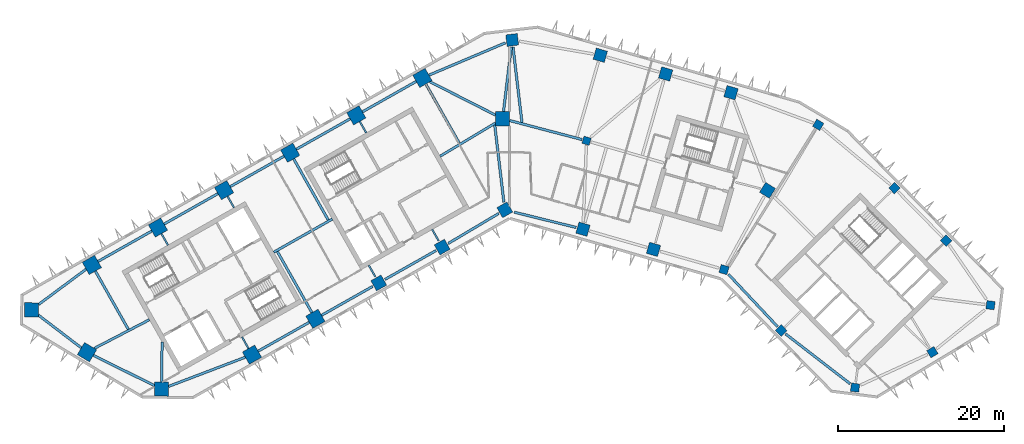
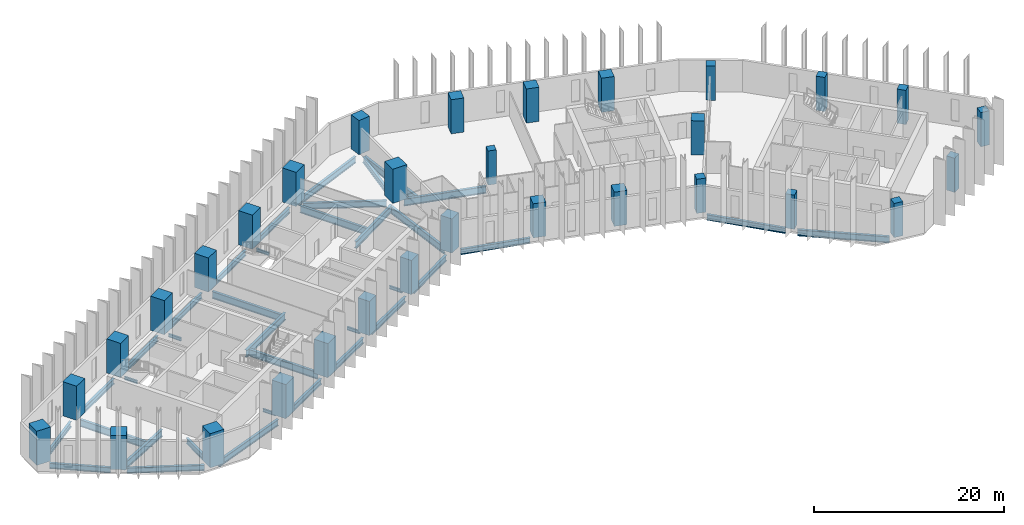
# One storey, part 1 of 11: 36 beams, 31 columns.
"""IFC4 building model written with IfcOpenShell, lengths in metres."""

from ifc_helpers import new_model, si_unit, direction, frame, origin, origin_2d, place, context, subcontext, project, spatial, rectangle, i_section, extrude, material, material_profile, profile_set, type_object, element, save


model = new_model("IFC4")

# Units and contexts
model_context = context("Model", 3, precision=1e-05, world=origin(), true_north=direction((0.0, 1.0)))
body_context = subcontext(model_context, "Body", "Model", "MODEL_VIEW")
ifc_project = project(units=[si_unit("LENGTHUNIT", "METRE"), si_unit("AREAUNIT", "SQUARE_METRE"), si_unit("VOLUMEUNIT", "CUBIC_METRE"), si_unit("PLANEANGLEUNIT", "RADIAN"), si_unit("MASSUNIT", "GRAM", prefix="KILO")], contexts=[model_context])

# Site, building, storey
site_placement = place(None, origin())
site = spatial("IfcSite", under=ifc_project, at=site_placement, CompositionType="ELEMENT")
building_placement = place(site_placement, origin())
building = spatial("IfcBuilding", under=site, at=building_placement, Name="Binnacle Exchange Tower", CompositionType="ELEMENT")
storey_placement = place(building_placement, frame((0.0, 0.0, 97.10009765625)))
storey = spatial("IfcBuildingStorey", under=building, at=storey_placement, Name="L19", CompositionType="ELEMENT", Elevation=97.10009765625)

# Columns
ifc_material_1 = material(Name="Concrete C60/75", Category="concrete")
ifc_material_profile_1 = material_profile(ifc_material_1, rectangle(XDim=0.89990234375, YDim=0.89990234375, at=origin_2d()), Name="Column 900x900 C60/75")
ifc_profile_set_1 = profile_set([ifc_material_profile_1], Name="Concrete C60/75")
column_type_1 = type_object("IfcColumnType", Name="Column 900x900 C60/75", PredefinedType="COLUMN", material=ifc_profile_set_1)
column_placement = place(storey_placement, frame((9.240966796875, 57.35009765625, 0.0), z_axis=(0.0, 0.0, 1.0), x_axis=(0.961261695938, -0.275637355817, 0.0)))
element("IfcColumn", 1, at=column_placement, inside=storey, type_object=column_type_1, Name="S:COL:C19:L19", PredefinedType="COLUMN", context=body_context, shape_type="SweptSolid", body=[
    extrude(rectangle(XDim=0.89990234375, YDim=0.89990234375, at=origin_2d()), origin(), (0.0, 0.0, 1.0), 4.39990234375),
])
ifc_material_2 = material(Name="Concrete C70/85", Category="concrete")
ifc_material_profile_2 = material_profile(ifc_material_2, rectangle(XDim=1.0, YDim=1.0, at=origin_2d()), Name="Mega column 1000x1000 C70/85")
ifc_profile_set_2 = profile_set([ifc_material_profile_2], Name="Concrete C70/85")
column_type_2 = type_object("IfcColumnType", Name="Mega column 1000x1000 C70/85", PredefinedType="COLUMN", material=ifc_profile_set_2)
for number, where, z_axis, x_axis, name in (
    (2, (37.0849609375, 59.262451171875, 0.0), (0.0, 0.0, 1.0), (-0.859406411501, 0.511293086077, 0.0), "S:COL:MC57:L19"),
    (3, (25.766845703125, 41.85986328125, 0.0), (0.0, 0.0, 1.0), (0.961261695938, -0.275637355817, 0.0), "S:COL:MC56:L19"),
    (4, (32.64111328125, 34.530029296875, 0.0), (0.0, 0.0, 1.0), (0.7009092643, -0.713250449154, 0.0), "S:COL:MC59:L19"),
    (5, (41.519775390625, 27.6748046875, 0.0), (0.0, 0.0, 1.0), (0.99200494968, -0.126198969136, 0.0), "S:COL:MC61:L19"),
    (6, (50.81201171875, 31.930908203125, 0.0), (0.0, 0.0, 1.0), (0.857167300702, 0.51503807491, 0.0), "S:COL:MC63:L19"),
    (7, (57.799072265625, 37.5810546875, 0.0), (0.0, 0.0, 1.0), (0.126198969136, 0.99200494968, 0.0), "S:COL:MC62:L19"),
    (8, (52.466796875, 45.33935546875, 0.0), (0.0, 0.0, 1.0), (-0.7009092643, 0.713250449154, 0.0), "S:COL:MC60:L19"),
    (9, (46.248291015625, 51.667236328125, 0.0), (0.0, 0.0, 1.0), (-0.7009092643, 0.713250449154, 0.0), "S:COL:MC58:L19"),
):
    element("IfcColumn", number, at=place(storey_placement, frame(where, z_axis=z_axis, x_axis=x_axis)), inside=storey, type_object=column_type_2, Name=name, PredefinedType="COLUMN", context=body_context, shape_type="SweptSolid", body=[
        extrude(rectangle(XDim=1.0, YDim=1.0, at=origin_2d()), origin(), (0.0, 0.0, 1.0), 4.39990234375),
    ])
ifc_material_profile_3 = material_profile(ifc_material_2, rectangle(XDim=1.39990234375, YDim=1.39990234375, at=origin_2d()), Name="Mega column 1400x1400 C70/85")
ifc_profile_set_3 = profile_set([ifc_material_profile_3], Name="Concrete C70/85")
column_type_3 = type_object("IfcColumnType", Name="Mega column 1400x1400 C70/85", PredefinedType="COLUMN", material=ifc_profile_set_3)
for number, where, z_axis, x_axis, name in (
    (10, (26.602783203125, 63.12353515625, 0.0), (0.0, 0.0, 1.0), (-0.961261695938, 0.275637355817, 0.0), "S:COL:MC52:L19"),
    (11, (18.746337890625, 65.376220703125, 0.0), (0.0, 0.0, 1.0), (-0.961261695938, 0.275637355817, 0.0), "S:COL:MC50:L19"),
    (12, (10.889892578125, 67.62890625, 0.0), (0.0, 0.0, 1.0), (-0.961261695938, 0.275637355817, 0.0), "S:COL:MC48:L19"),
    (13, (0.300048828125, 69.464111328125, 0.0), (0.0, 0.0, 1.0), (-0.993068456955, -0.117537397458, 0.0), "S:COL:MC47:L19"),
    (14, (-15.736328125, 40.257080078125, 0.0), (0.0, 0.0, 1.0), (0.87035569594, 0.492423560103, 0.0), "S:COL:MC24:L19"),
    (15, (-8.116943359375, 44.568115234375, 0.0), (0.0, 0.0, 1.0), (0.87035569594, 0.492423560103, 0.0), "S:COL:MC35:L19"),
    (16, (-0.5908203125, 49.04443359375, 0.0), (0.0, 0.0, 1.0), (0.87035569594, 0.492423560103, 0.0), "S:COL:MC46:L19"),
    (17, (8.8095703125, 46.722412109375, 0.0), (0.0, 0.0, 1.0), (0.961261695938, -0.275637355817, 0.0), "S:COL:MC49:L19"),
    (18, (17.2880859375, 44.291015625, 0.0), (0.0, 0.0, 1.0), (0.961261695938, -0.275637355817, 0.0), "S:COL:MC51:L19"),
    (19, (30.989501953125, 51.38623046875, 0.0), (0.0, 0.0, 1.0), (0.529919264233, 0.848048096156, 0.0), "S:COL:MC55:L19"),
):
    element("IfcColumn", number, at=place(storey_placement, frame(where, z_axis=z_axis, x_axis=x_axis)), inside=storey, type_object=column_type_3, Name=name, PredefinedType="COLUMN", context=body_context, shape_type="SweptSolid", body=[
        extrude(rectangle(XDim=1.39990234375, YDim=1.39990234375, at=origin_2d()), origin(), (0.0, 0.0, 1.0), 4.39990234375),
    ])
ifc_material_profile_4 = material_profile(ifc_material_2, rectangle(XDim=1.699951171875, YDim=1.699951171875, at=origin_2d()), Name="Mega column 1700x1700 C70/85")
ifc_profile_set_4 = profile_set([ifc_material_profile_4], Name="Concrete C70/85")
column_type_4 = type_object("IfcColumnType", Name="Mega column 1700x1700 C70/85", PredefinedType="COLUMN", material=ifc_profile_set_4)
for number, where, z_axis, x_axis, name in (
    (20, (-10.4951171875, 64.901611328125, 0.0), (0.0, 0.0, 1.0), (-0.87035569594, -0.492423560103, 0.0), "S:COL:MC38:L19"),
    (21, (-18.44140625, 60.406005859375, 0.0), (0.0, 0.0, 1.0), (-0.87035569594, -0.492423560103, 0.0), "S:COL:MC29:L19"),
    (22, (-26.3876953125, 55.91015625, 0.0), (0.0, 0.0, 1.0), (-0.87035569594, -0.492423560103, 0.0), "S:COL:MC21:L19"),
    (23, (-34.333740234375, 51.414306640625, 0.0), (0.0, 0.0, 1.0), (-0.87035569594, -0.492423560103, 0.0), "S:COL:MC13:L19"),
    (24, (-42.280029296875, 46.918701171875, 0.0), (0.0, 0.0, 1.0), (-0.87035569594, -0.492423560103, 0.0), "S:COL:MC08:L19"),
    (25, (-50.226318359375, 42.4228515625, 0.0), (0.0, 0.0, 1.0), (-0.87035569594, -0.492423560103, 0.0), "S:COL:MC04:L19"),
    (26, (-57.492919921875, 37.02734375, 0.0), (0.0, 0.0, 1.0), (-0.013089595571, -0.999914327574, 0.0), "S:COL:MC02:L19"),
    (27, (-50.81201171875, 31.930908203125, 0.0), (0.0, 0.0, 1.0), (0.857167300702, -0.51503807491, 0.0), "S:COL:MC01:L19"),
    (28, (-41.857666015625, 27.494873046875, 0.0), (0.0, 0.0, 1.0), (0.999914327574, -0.013089595571, 0.0), "S:COL:MC03:L19"),
    (29, (-30.9755859375, 31.63525390625, 0.0), (0.0, 0.0, 1.0), (0.87035569594, 0.492423560103, 0.0), "S:COL:MC07:L19"),
    (30, (-23.35595703125, 35.9462890625, 0.0), (0.0, 0.0, 1.0), (0.87035569594, 0.492423560103, 0.0), "S:COL:MC16:L19"),
    (31, (-0.85009765625, 60.0, 0.0), (0.0, 0.0, 1.0), (0.0, 1.0, 0.0), "S:COL:MC45:L19"),
):
    element("IfcColumn", number, at=place(storey_placement, frame(where, z_axis=z_axis, x_axis=x_axis)), inside=storey, type_object=column_type_4, Name=name, PredefinedType="COLUMN", context=body_context, shape_type="SweptSolid", body=[
        extrude(rectangle(XDim=1.699951171875, YDim=1.699951171875, at=origin_2d()), origin(), (0.0, 0.0, 1.0), 4.39990234375),
    ])

# Beams
ifc_material_3 = material(Name="Steel S355 (SHN355)", Category="steel")
ifc_material_profile_5 = material_profile(ifc_material_3, i_section(OverallWidth=0.300048828125, OverallDepth=0.699951171875, WebThickness=0.012939453125, FlangeThickness=0.02392578125, FilletRadius=0.028076171875, at=origin_2d()), Name="H 700x300x13x24")
ifc_profile_set_5 = profile_set([ifc_material_profile_5], Name="Steel S355 (SHN355)")
beam_type_1 = type_object("IfcBeamType", Name="Edge girder H 700x300x13x24 Steel S355 (SHN355)", PredefinedType="SPANDREL", material=ifc_profile_set_5)
beam_1_placement = place(storey_placement, frame((-56.6513671875, 36.38525390625, -0.670166015625), z_axis=(0.795093040263, -0.606487474994, 0.0), x_axis=(0.606487474994, 0.795093040263, 0.0)))
element("IfcBeam", 32, at=beam_1_placement, inside=storey, type_object=beam_type_1, Name="S:BM:edge:L19:015", PredefinedType="SPANDREL", context=body_context, shape_type="SweptSolid", body=[
    extrude(i_section(OverallWidth=0.300048828125, OverallDepth=0.699951171875, WebThickness=0.012939453125, FlangeThickness=0.02392578125, FilletRadius=0.028076171875, at=origin_2d()), origin(), (0.0, 0.0, 1.0), 6.489013671875),
])
beam_2_placement = place(storey_placement, frame((-50.913818359375, 41.912353515625, -0.670166015625), z_axis=(-0.80288535334, -0.59613346609, 0.0), x_axis=(0.59613346609, -0.80288535334, 0.0)))
element("IfcBeam", 33, at=beam_2_placement, inside=storey, type_object=beam_type_1, Name="S:BM:edge:L19:016", PredefinedType="SPANDREL", context=body_context, shape_type="SweptSolid", body=[
    extrude(i_section(OverallWidth=0.300048828125, OverallDepth=0.699951171875, WebThickness=0.012939453125, FlangeThickness=0.02392578125, FilletRadius=0.028076171875, at=origin_2d()), origin(), (0.0, 0.0, 1.0), 7.125244140625),
])
beam_3_placement = place(storey_placement, frame((-43.019775390625, 46.5, -0.670166015625), z_axis=(-0.870364477798, -0.492408037898, 0.0), x_axis=(0.492408037898, -0.870364477798, 0.0)))
element("IfcBeam", 34, at=beam_3_placement, inside=storey, type_object=beam_type_1, Name="S:BM:edge:L19:018", PredefinedType="SPANDREL", context=body_context, shape_type="SweptSolid", body=[
    extrude(i_section(OverallWidth=0.300048828125, OverallDepth=0.699951171875, WebThickness=0.012939453125, FlangeThickness=0.02392578125, FilletRadius=0.028076171875, at=origin_2d()), origin(), (0.0, 0.0, 1.0), 7.4296875),
])
beam_4_placement = place(storey_placement, frame((-35.073486328125, 50.995849609375, -0.670166015625), z_axis=(-0.870372444894, -0.492393955253, 0.0), x_axis=(0.492393955253, -0.870372444894, 0.0)))
element("IfcBeam", 35, at=beam_4_placement, inside=storey, type_object=beam_type_1, Name="S:BM:edge:L19:020", PredefinedType="SPANDREL", context=body_context, shape_type="SweptSolid", body=[
    extrude(i_section(OverallWidth=0.300048828125, OverallDepth=0.699951171875, WebThickness=0.012939453125, FlangeThickness=0.02392578125, FilletRadius=0.028076171875, at=origin_2d()), origin(), (0.0, 0.0, 1.0), 7.429931640625),
])
beam_5_placement = place(storey_placement, frame((-30.23583984375, 32.053955078125, -0.670166015625), z_axis=(0.870373276953, 0.492392484473, 0.0), x_axis=(-0.492392484473, 0.870373276953, 0.0)))
element("IfcBeam", 36, at=beam_5_placement, inside=storey, type_object=beam_type_1, Name="S:BM:edge:L19:021", PredefinedType="SPANDREL", context=body_context, shape_type="SweptSolid", body=[
    extrude(i_section(OverallWidth=0.300048828125, OverallDepth=0.699951171875, WebThickness=0.012939453125, FlangeThickness=0.02392578125, FilletRadius=0.028076171875, at=origin_2d()), origin(), (0.0, 0.0, 1.0), 7.0546875),
])
beam_6_placement = place(storey_placement, frame((-27.12744140625, 55.49169921875, -0.670166015625), z_axis=(-0.870350394687, -0.492432929919, 0.0), x_axis=(0.492432929919, -0.870350394687, 0.0)))
element("IfcBeam", 37, at=beam_6_placement, inside=storey, type_object=beam_type_1, Name="S:BM:edge:L19:022", PredefinedType="SPANDREL", context=body_context, shape_type="SweptSolid", body=[
    extrude(i_section(OverallWidth=0.300048828125, OverallDepth=0.699951171875, WebThickness=0.012939453125, FlangeThickness=0.02392578125, FilletRadius=0.028076171875, at=origin_2d()), origin(), (0.0, 0.0, 1.0), 7.429931640625),
])
beam_7_placement = place(storey_placement, frame((-22.6162109375, 36.36474609375, -0.670166015625), z_axis=(0.870350053651, 0.492433532681, 0.0), x_axis=(-0.492433532681, 0.870350053651, 0.0)))
element("IfcBeam", 38, at=beam_7_placement, inside=storey, type_object=beam_type_1, Name="S:BM:edge:L19:023", PredefinedType="SPANDREL", context=body_context, shape_type="SweptSolid", body=[
    extrude(i_section(OverallWidth=0.300048828125, OverallDepth=0.699951171875, WebThickness=0.012939453125, FlangeThickness=0.02392578125, FilletRadius=0.028076171875, at=origin_2d()), origin(), (0.0, 0.0, 1.0), 7.054443359375),
])
beam_8_placement = place(storey_placement, frame((-19.18115234375, 59.9873046875, -0.670166015625), z_axis=(-0.870364477798, -0.492408037898, 0.0), x_axis=(0.492408037898, -0.870364477798, 0.0)))
element("IfcBeam", 39, at=beam_8_placement, inside=storey, type_object=beam_type_1, Name="S:BM:edge:L19:024", PredefinedType="SPANDREL", context=body_context, shape_type="SweptSolid", body=[
    extrude(i_section(OverallWidth=0.300048828125, OverallDepth=0.699951171875, WebThickness=0.012939453125, FlangeThickness=0.02392578125, FilletRadius=0.028076171875, at=origin_2d()), origin(), (0.0, 0.0, 1.0), 7.4296875),
])
beam_9_placement = place(storey_placement, frame((-14.99658203125, 40.67578125, -0.670166015625), z_axis=(0.870364886025, 0.492407316329, 0.0), x_axis=(-0.492407316329, 0.870364886025, 0.0)))
element("IfcBeam", 40, at=beam_9_placement, inside=storey, type_object=beam_type_1, Name="S:BM:edge:L19:025", PredefinedType="SPANDREL", context=body_context, shape_type="SweptSolid", body=[
    extrude(i_section(OverallWidth=0.300048828125, OverallDepth=0.699951171875, WebThickness=0.012939453125, FlangeThickness=0.02392578125, FilletRadius=0.028076171875, at=origin_2d()), origin(), (0.0, 0.0, 1.0), 7.054443359375),
])
beam_10_placement = place(storey_placement, frame((-11.23486328125, 64.483154296875, -0.670166015625), z_axis=(-0.870364477798, -0.492408037898, 0.0), x_axis=(0.492408037898, -0.870364477798, 0.0)))
element("IfcBeam", 41, at=beam_10_placement, inside=storey, type_object=beam_type_1, Name="S:BM:edge:L19:026", PredefinedType="SPANDREL", context=body_context, shape_type="SweptSolid", body=[
    extrude(i_section(OverallWidth=0.300048828125, OverallDepth=0.699951171875, WebThickness=0.012939453125, FlangeThickness=0.02392578125, FilletRadius=0.028076171875, at=origin_2d()), origin(), (0.0, 0.0, 1.0), 7.4296875),
])
beam_11_placement = place(storey_placement, frame((-7.38623046875, 45.002685546875, -0.670166015625), z_axis=(0.859464815262, 0.511194905419, 0.0), x_axis=(-0.511194905419, 0.859464815262, 0.0)))
element("IfcBeam", 42, at=beam_11_placement, inside=storey, type_object=beam_type_1, Name="S:BM:edge:L19:027", PredefinedType="SPANDREL", context=body_context, shape_type="SweptSolid", body=[
    extrude(i_section(OverallWidth=0.300048828125, OverallDepth=0.699951171875, WebThickness=0.012939453125, FlangeThickness=0.02392578125, FilletRadius=0.028076171875, at=origin_2d()), origin(), (0.0, 0.0, 1.0), 7.056396484375),
])
beam_12_placement = place(storey_placement, frame((0.54443359375, 48.763916015625, -0.670166015625), z_axis=(0.970818997342, -0.239813415805, 0.0), x_axis=(0.239813415805, 0.970818997342, 0.0)))
element("IfcBeam", 43, at=beam_12_placement, inside=storey, type_object=beam_type_1, Name="S:BM:edge:L19:029", PredefinedType="SPANDREL", context=body_context, shape_type="SweptSolid", body=[
    extrude(i_section(OverallWidth=0.300048828125, OverallDepth=0.699951171875, WebThickness=0.012939453125, FlangeThickness=0.02392578125, FilletRadius=0.028076171875, at=origin_2d()), origin(), (0.0, 0.0, 1.0), 7.662841796875),
])
ifc_material_profile_6 = material_profile(ifc_material_3, i_section(OverallWidth=0.302001953125, OverallDepth=0.7080078125, WebThickness=0.014892578125, FlangeThickness=0.028076171875, FilletRadius=0.028076171875, at=origin_2d()), Name="H 708x302x15x28")
ifc_profile_set_6 = profile_set([ifc_material_profile_6], Name="Steel S355 (SHN355)")
beam_type_2 = type_object("IfcBeamType", Name="Edge girder H 708x302x15x28 Steel S355 (SHN355)", PredefinedType="SPANDREL", material=ifc_profile_set_6)
beam_13_placement = place(storey_placement, frame((-50.0478515625, 31.55224609375, -0.674072265625), z_axis=(0.896059216286, -0.443934545749, 0.0), x_axis=(0.443934545749, 0.896059216286, 0.0)))
element("IfcBeam", 44, at=beam_13_placement, inside=storey, type_object=beam_type_2, Name="S:BM:edge:L19:017", PredefinedType="SPANDREL", context=body_context, shape_type="SweptSolid", body=[
    extrude(i_section(OverallWidth=0.302001953125, OverallDepth=0.7080078125, WebThickness=0.014892578125, FlangeThickness=0.028076171875, FilletRadius=0.028076171875, at=origin_2d()), origin(), (0.0, 0.0, 1.0), 8.197509765625),
])
beam_14_placement = place(storey_placement, frame((26.284912109375, 41.3076171875, -0.674072265625), z_axis=(0.684056711164, -0.729428828544, 0.0), x_axis=(0.729428828544, 0.684056711164, 0.0)))
element("IfcBeam", 45, at=beam_14_placement, inside=storey, type_object=beam_type_2, Name="S:BM:edge:L19:035", PredefinedType="SPANDREL", context=body_context, shape_type="SweptSolid", body=[
    extrude(i_section(OverallWidth=0.302001953125, OverallDepth=0.7080078125, WebThickness=0.014892578125, FlangeThickness=0.028076171875, FilletRadius=0.028076171875, at=origin_2d()), origin(), (0.0, 0.0, 1.0), 8.6416015625),
])
ifc_material_profile_7 = material_profile(ifc_material_3, i_section(OverallWidth=0.302001953125, OverallDepth=0.80810546875, WebThickness=0.01611328125, FlangeThickness=0.030029296875, FilletRadius=0.028076171875, at=origin_2d()), Name="H 808x302x16x30")
ifc_profile_set_7 = profile_set([ifc_material_profile_7], Name="Steel S355 (SHN355)")
beam_type_3 = type_object("IfcBeamType", Name="Edge girder H 808x302x16x30 Steel S355 (SHN355)", PredefinedType="SPANDREL", material=ifc_profile_set_7)
beam_15_placement = place(storey_placement, frame((-41.00341796875, 27.81982421875, -0.72412109375), z_axis=(0.934628738252, 0.355624973297, 0.0), x_axis=(-0.355624973297, 0.934628738252, 0.0)))
element("IfcBeam", 46, at=beam_15_placement, inside=storey, type_object=beam_type_3, Name="S:BM:edge:L19:019", PredefinedType="SPANDREL", context=body_context, shape_type="SweptSolid", body=[
    extrude(i_section(OverallWidth=0.302001953125, OverallDepth=0.80810546875, WebThickness=0.01611328125, FlangeThickness=0.030029296875, FilletRadius=0.028076171875, at=origin_2d()), origin(), (0.0, 0.0, 1.0), 9.869384765625),
])
beam_16_placement = place(storey_placement, frame((-0.51513671875, 69.11962890625, -0.72412109375), z_axis=(-0.921111373297, -0.389299162578, 0.0), x_axis=(0.389299162578, -0.921111373297, 0.0)))
element("IfcBeam", 47, at=beam_16_placement, inside=storey, type_object=beam_type_3, Name="S:BM:edge:L19:028", PredefinedType="SPANDREL", context=body_context, shape_type="SweptSolid", body=[
    extrude(i_section(OverallWidth=0.302001953125, OverallDepth=0.80810546875, WebThickness=0.01611328125, FlangeThickness=0.030029296875, FilletRadius=0.028076171875, at=origin_2d()), origin(), (0.0, 0.0, 1.0), 9.978759765625),
])
beam_17_placement = place(storey_placement, frame((33.160400390625, 34.12890625, -0.72412109375), z_axis=(0.791533490776, -0.611125791454, 0.0), x_axis=(0.611125791454, 0.791533490776, 0.0)))
element("IfcBeam", 48, at=beam_17_placement, inside=storey, type_object=beam_type_3, Name="S:BM:edge:L19:036", PredefinedType="SPANDREL", context=body_context, shape_type="SweptSolid", body=[
    extrude(i_section(OverallWidth=0.302001953125, OverallDepth=0.80810546875, WebThickness=0.01611328125, FlangeThickness=0.030029296875, FilletRadius=0.028076171875, at=origin_2d()), origin(), (0.0, 0.0, 1.0), 9.80712890625),
])
ifc_material_profile_8 = material_profile(ifc_material_3, i_section(OverallWidth=0.199951171875, OverallDepth=0.39990234375, WebThickness=0.008056640625, FlangeThickness=0.012939453125, FilletRadius=0.01611328125, at=origin_2d()), Name="H 400x200x8x13")
ifc_profile_set_8 = profile_set([ifc_material_profile_8], Name="Steel S355 (SHN355)")
beam_type_4 = type_object("IfcBeamType", Name="Floor beam H 400x200x8x13 Steel S355 (SHN355)", PredefinedType="BEAM", material=ifc_profile_set_8)
beam_18_placement = place(storey_placement, frame((-41.861328125, 46.178955078125, -0.52001953125), z_axis=(0.492366981934, -0.870387703901, 0.0), x_axis=(0.870387703901, 0.492366981934, 0.0)))
element("IfcBeam", 49, at=beam_18_placement, inside=storey, type_object=beam_type_4, Name="S:BM:cross:L19:044", PredefinedType="BEAM", context=body_context, shape_type="SweptSolid", body=[
    extrude(i_section(OverallWidth=0.199951171875, OverallDepth=0.39990234375, WebThickness=0.008056640625, FlangeThickness=0.012939453125, FilletRadius=0.01611328125, at=origin_2d()), origin(), (0.0, 0.0, 1.0), 1.584228515625),
])
beam_19_placement = place(storey_placement, frame((-33.915283203125, 50.674560546875, -0.52001953125), z_axis=(0.492483715062, -0.870321659158, 0.0), x_axis=(0.870321659158, 0.492483715062, 0.0)))
element("IfcBeam", 50, at=beam_19_placement, inside=storey, type_object=beam_type_4, Name="S:BM:cross:L19:046", PredefinedType="BEAM", context=body_context, shape_type="SweptSolid", body=[
    extrude(i_section(OverallWidth=0.199951171875, OverallDepth=0.39990234375, WebThickness=0.008056640625, FlangeThickness=0.012939453125, FilletRadius=0.01611328125, at=origin_2d()), origin(), (0.0, 0.0, 1.0), 1.58447265625),
])
for number, where, z_axis, x_axis, name in (
    (51, (-31.394287109375, 32.375, -0.52001953125), (-0.492366981934, 0.870387703901, 0.0), (-0.870387703901, -0.492366981934, 0.0), "S:BM:cross:L19:047"),
    (52, (-18.022705078125, 59.666259765625, -0.52001953125), (0.492366981934, -0.870387703901, 0.0), (0.870387703901, 0.492366981934, 0.0), "S:BM:cross:L19:050"),
    (53, (-16.155029296875, 40.9970703125, -0.52001953125), (-0.492366981934, 0.870387703901, 0.0), (-0.870387703901, -0.492366981934, 0.0), "S:BM:cross:L19:051"),
):
    element("IfcBeam", number, at=place(storey_placement, frame(where, z_axis=z_axis, x_axis=x_axis)), inside=storey, type_object=beam_type_4, Name=name, PredefinedType="BEAM", context=body_context, shape_type="SweptSolid", body=[
        extrude(i_section(OverallWidth=0.199951171875, OverallDepth=0.39990234375, WebThickness=0.008056640625, FlangeThickness=0.012939453125, FilletRadius=0.01611328125, at=origin_2d()), origin(), (0.0, 0.0, 1.0), 1.584228515625),
    ])
beam_20_placement = place(storey_placement, frame((-8.535400390625, 45.307861328125, -0.52001953125), z_axis=(-0.492483715062, 0.870321659158, 0.0), x_axis=(-0.870321659158, -0.492483715062, 0.0)))
element("IfcBeam", 54, at=beam_20_placement, inside=storey, type_object=beam_type_4, Name="S:BM:cross:L19:053", PredefinedType="BEAM", context=body_context, shape_type="SweptSolid", body=[
    extrude(i_section(OverallWidth=0.199951171875, OverallDepth=0.39990234375, WebThickness=0.008056640625, FlangeThickness=0.012939453125, FilletRadius=0.01611328125, at=origin_2d()), origin(), (0.0, 0.0, 1.0), 1.58447265625),
])
ifc_material_profile_9 = material_profile(ifc_material_3, i_section(OverallWidth=0.300048828125, OverallDepth=0.699951171875, WebThickness=0.012939453125, FlangeThickness=0.02392578125, FilletRadius=0.028076171875, at=origin_2d()), Name="H 700x300x13x24")
ifc_profile_set_9 = profile_set([ifc_material_profile_9], Name="Steel S355 (SHN355)")
beam_type_5 = type_object("IfcBeamType", Name="Floor beam H 700x300x13x24 Steel S355 (SHN355)", PredefinedType="BEAM", material=ifc_profile_set_9)
beam_21_placement = place(storey_placement, frame((-41.8466796875, 28.3447265625, -0.670166015625), z_axis=(0.013120628196, 0.999913920853, 0.0), x_axis=(-0.999913920853, 0.013120628196, 0.0)))
element("IfcBeam", 55, at=beam_21_placement, inside=storey, type_object=beam_type_5, Name="S:BM:cross:L19:045", PredefinedType="BEAM", context=body_context, shape_type="SweptSolid", body=[
    extrude(i_section(OverallWidth=0.300048828125, OverallDepth=0.699951171875, WebThickness=0.012939453125, FlangeThickness=0.02392578125, FilletRadius=0.028076171875, at=origin_2d()), origin(), (0.0, 0.0, 1.0), 4.80078125),
])
ifc_material_profile_10 = material_profile(ifc_material_3, i_section(OverallWidth=0.300048828125, OverallDepth=0.89990234375, WebThickness=0.01611328125, FlangeThickness=0.028076171875, FilletRadius=0.028076171875, at=origin_2d()), Name="H 900x300x16x28")
ifc_profile_set_10 = profile_set([ifc_material_profile_10], Name="Steel S355 (SHN355)")
beam_type_6 = type_object("IfcBeamType", Name="Floor beam H 900x300x16x28 Steel S355 (SHN355)", PredefinedType="BEAM", material=ifc_profile_set_10)
beam_22_placement = place(storey_placement, frame((-49.8076171875, 41.68310546875, -0.77001953125), z_axis=(0.492423370769, -0.87035580306, 0.0), x_axis=(0.87035580306, 0.492423370769, 0.0)))
element("IfcBeam", 56, at=beam_22_placement, inside=storey, type_object=beam_type_6, Name="S:BM:cross:L19:043", PredefinedType="BEAM", context=body_context, shape_type="SweptSolid", body=[
    extrude(i_section(OverallWidth=0.300048828125, OverallDepth=0.89990234375, WebThickness=0.01611328125, FlangeThickness=0.028076171875, FilletRadius=0.028076171875, at=origin_2d()), origin(), (0.0, 0.0, 1.0), 8.041259765625),
])
beam_23_placement = place(storey_placement, frame((-10.076416015625, 64.161865234375, -0.77001953125), z_axis=(0.492410737926, -0.870362950254, 0.0), x_axis=(0.870362950254, 0.492410737926, 0.0)))
element("IfcBeam", 57, at=beam_23_placement, inside=storey, type_object=beam_type_6, Name="S:BM:cross:L19:052", PredefinedType="BEAM", context=body_context, shape_type="SweptSolid", body=[
    extrude(i_section(OverallWidth=0.300048828125, OverallDepth=0.89990234375, WebThickness=0.01611328125, FlangeThickness=0.028076171875, FilletRadius=0.028076171875, at=origin_2d()), origin(), (0.0, 0.0, 1.0), 8.16943359375),
])
ifc_material_profile_11 = material_profile(ifc_material_3, i_section(OverallWidth=0.302001953125, OverallDepth=0.912109375, WebThickness=0.01806640625, FlangeThickness=0.033935546875, FilletRadius=0.028076171875, at=origin_2d()), Name="H 912x302x18x34")
ifc_profile_set_11 = profile_set([ifc_material_profile_11], Name="Steel S355 (SHN355)")
beam_type_7 = type_object("IfcBeamType", Name="Floor beam H 912x302x18x34 Steel S355 (SHN355)", PredefinedType="BEAM", material=ifc_profile_set_11)
for number, where, z_axis, x_axis, name in (
    (58, (-25.968994140625, 55.17041015625, -0.776123046875), (0.492409177884, -0.870363832851, 0.0), (0.870363832851, 0.492409177884, 0.0), "S:BM:cross:L19:048"),
    (59, (-23.774658203125, 36.68603515625, -0.776123046875), (-0.492409177884, 0.870363832851, 0.0), (-0.870363832851, -0.492409177884, 0.0), "S:BM:cross:L19:049"),
):
    element("IfcBeam", number, at=place(storey_placement, frame(where, z_axis=z_axis, x_axis=x_axis)), inside=storey, type_object=beam_type_7, Name=name, PredefinedType="BEAM", context=body_context, shape_type="SweptSolid", body=[
        extrude(i_section(OverallWidth=0.302001953125, OverallDepth=0.912109375, WebThickness=0.01806640625, FlangeThickness=0.033935546875, FilletRadius=0.028076171875, at=origin_2d()), origin(), (0.0, 0.0, 1.0), 8.43408203125),
    ])
ifc_material_profile_12 = material_profile(ifc_material_3, i_section(OverallWidth=0.302978515625, OverallDepth=0.91796875, WebThickness=0.01904296875, FlangeThickness=0.037109375, FilletRadius=0.028076171875, at=origin_2d()), Name="H 918x303x19x37")
ifc_profile_set_12 = profile_set([ifc_material_profile_12], Name="Steel S355 (SHN355)")
beam_type_8 = type_object("IfcBeamType", Name="Floor beam H 918x303x19x37 Steel S355 (SHN355)", PredefinedType="BEAM", material=ifc_profile_set_12)
beam_24_placement = place(storey_placement, frame((-0.69921875, 49.959716796875, -0.779052734375), z_axis=(-0.117528717449, 0.993069484263, 0.0), x_axis=(-0.993069484263, -0.117528717449, 0.0)))
element("IfcBeam", 60, at=beam_24_placement, inside=storey, type_object=beam_type_8, Name="S:BM:cross:L19:054", PredefinedType="BEAM", context=body_context, shape_type="SweptSolid", body=[
    extrude(i_section(OverallWidth=0.302978515625, OverallDepth=0.91796875, WebThickness=0.01904296875, FlangeThickness=0.037109375, FilletRadius=0.028076171875, at=origin_2d()), origin(), (0.0, 0.0, 1.0), 9.374755859375),
])
beam_25_placement = place(storey_placement, frame((0.39990234375, 68.6201171875, -0.779052734375), z_axis=(0.117562643201, -0.993065468599, 0.0), x_axis=(0.993065468599, 0.117562643201, 0.0)))
element("IfcBeam", 61, at=beam_25_placement, inside=storey, type_object=beam_type_8, Name="S:BM:cross:L19:055", PredefinedType="BEAM", context=body_context, shape_type="SweptSolid", body=[
    extrude(i_section(OverallWidth=0.302978515625, OverallDepth=0.91796875, WebThickness=0.01904296875, FlangeThickness=0.037109375, FilletRadius=0.028076171875, at=origin_2d()), origin(), (0.0, 0.0, 1.0), 9.14990234375),
])
ifc_material_profile_13 = material_profile(ifc_material_3, i_section(OverallWidth=0.302001953125, OverallDepth=0.7080078125, WebThickness=0.014892578125, FlangeThickness=0.028076171875, FilletRadius=0.028076171875, at=origin_2d()), Name="H 708x302x15x28")
ifc_profile_set_13 = profile_set([ifc_material_profile_13], Name="Steel S355 (SHN355)")
beam_type_9 = type_object("IfcBeamType", Name="Spine girder H 708x302x15x28 Steel S355 (SHN355)", PredefinedType="BEAM", material=ifc_profile_set_13)
beam_26_placement = place(storey_placement, frame((-0.74658203125, 60.85009765625, -0.674072265625), z_axis=(0.120621974738, 0.992698513755, 0.0), x_axis=(-0.992698513755, 0.120621974738, 0.0)))
element("IfcBeam", 62, at=beam_26_placement, inside=storey, type_object=beam_type_9, Name="S:BM:spine:L19:005", PredefinedType="BEAM", context=body_context, shape_type="SweptSolid", body=[
    extrude(i_section(OverallWidth=0.302001953125, OverallDepth=0.7080078125, WebThickness=0.014892578125, FlangeThickness=0.028076171875, FilletRadius=0.028076171875, at=origin_2d()), origin(), (0.0, 0.0, 1.0), 7.802490234375),
])
ifc_material_profile_14 = material_profile(ifc_material_3, i_section(OverallWidth=0.302001953125, OverallDepth=0.80810546875, WebThickness=0.01611328125, FlangeThickness=0.030029296875, FilletRadius=0.028076171875, at=origin_2d()), Name="H 808x302x16x30")
ifc_profile_set_14 = profile_set([ifc_material_profile_14], Name="Steel S355 (SHN355)")
beam_type_10 = type_object("IfcBeamType", Name="Spine girder H 808x302x16x30 Steel S355 (SHN355)", PredefinedType="BEAM", material=ifc_profile_set_14)
beam_27_placement = place(storey_placement, frame((-1.699951171875, 60.431884765625, -0.72412109375), z_axis=(-0.891471296315, 0.45307717648, 0.0), x_axis=(-0.45307717648, -0.891471296315, 0.0)))
element("IfcBeam", 63, at=beam_27_placement, inside=storey, type_object=beam_type_10, Name="S:BM:spine:L19:004", PredefinedType="BEAM", context=body_context, shape_type="SweptSolid", body=[
    extrude(i_section(OverallWidth=0.302001953125, OverallDepth=0.80810546875, WebThickness=0.01611328125, FlangeThickness=0.030029296875, FilletRadius=0.028076171875, at=origin_2d()), origin(), (0.0, 0.0, 1.0), 8.845703125),
])
ifc_material_profile_15 = material_profile(ifc_material_3, i_section(OverallWidth=0.300048828125, OverallDepth=0.89990234375, WebThickness=0.01611328125, FlangeThickness=0.028076171875, FilletRadius=0.028076171875, at=origin_2d()), Name="H 900x300x16x28")
ifc_profile_set_15 = profile_set([ifc_material_profile_15], Name="Steel S355 (SHN355)")
beam_type_11 = type_object("IfcBeamType", Name="Spine girder H 900x300x16x28 Steel S355 (SHN355)", PredefinedType="BEAM", material=ifc_profile_set_15)
beam_28_placement = place(storey_placement, frame((-49.927734375, 32.391357421875, -0.77001953125), z_axis=(0.886979965344, 0.461807904954, 0.0), x_axis=(-0.461807904954, 0.886979965344, 0.0)))
element("IfcBeam", 64, at=beam_28_placement, inside=storey, type_object=beam_type_11, Name="S:BM:spine:L19:001", PredefinedType="BEAM", context=body_context, shape_type="SweptSolid", body=[
    extrude(i_section(OverallWidth=0.300048828125, OverallDepth=0.89990234375, WebThickness=0.01611328125, FlangeThickness=0.028076171875, FilletRadius=0.028076171875, at=origin_2d()), origin(), (0.0, 0.0, 1.0), 7.463623046875),
])
beam_29_placement = place(storey_placement, frame((-8.36328125, 55.489990234375, -0.77001953125), z_axis=(0.857393122678, 0.514662057261, 0.0), x_axis=(-0.514662057261, 0.857393122678, 0.0)))
element("IfcBeam", 65, at=beam_29_placement, inside=storey, type_object=beam_type_11, Name="S:BM:spine:L19:003", PredefinedType="BEAM", context=body_context, shape_type="SweptSolid", body=[
    extrude(i_section(OverallWidth=0.300048828125, OverallDepth=0.89990234375, WebThickness=0.01611328125, FlangeThickness=0.028076171875, FilletRadius=0.028076171875, at=origin_2d()), origin(), (0.0, 0.0, 1.0), 7.771728515625),
])
ifc_material_profile_16 = material_profile(ifc_material_3, i_section(OverallWidth=0.302001953125, OverallDepth=0.912109375, WebThickness=0.01806640625, FlangeThickness=0.033935546875, FilletRadius=0.028076171875, at=origin_2d()), Name="H 912x302x18x34")
ifc_profile_set_16 = profile_set([ifc_material_profile_16], Name="Steel S355 (SHN355)")
beam_type_12 = type_object("IfcBeamType", Name="Spine girder H 912x302x18x34 Steel S355 (SHN355)", PredefinedType="BEAM", material=ifc_profile_set_16)
beam_30_placement = place(storey_placement, frame((-28.365478515625, 43.951416015625, -0.776123046875), z_axis=(0.870350319004, 0.492433063684, 0.0), x_axis=(-0.492433063684, 0.870350319004, 0.0)))
element("IfcBeam", 66, at=beam_30_placement, inside=storey, type_object=beam_type_12, Name="S:BM:spine:L19:002", PredefinedType="BEAM", context=body_context, shape_type="SweptSolid", body=[
    extrude(i_section(OverallWidth=0.302001953125, OverallDepth=0.912109375, WebThickness=0.01806640625, FlangeThickness=0.033935546875, FilletRadius=0.028076171875, at=origin_2d()), origin(), (0.0, 0.0, 1.0), 8.0908203125),
])
ifc_material_profile_17 = material_profile(ifc_material_3, i_section(OverallWidth=0.302978515625, OverallDepth=0.91796875, WebThickness=0.01904296875, FlangeThickness=0.037109375, FilletRadius=0.028076171875, at=origin_2d()), Name="H 918x303x19x37")
ifc_profile_set_17 = profile_set([ifc_material_profile_17], Name="Steel S355 (SHN355)")
beam_type_13 = type_object("IfcBeamType", Name="Spine girder H 918x303x19x37 Steel S355 (SHN355)", PredefinedType="BEAM", material=ifc_profile_set_17)
beam_31_placement = place(storey_placement, frame((0.0, 59.77685546875, -0.779052734375), z_axis=(0.967208571477, -0.253983423202, 0.0), x_axis=(0.253983423202, 0.967208571477, 0.0)))
element("IfcBeam", 67, at=beam_31_placement, inside=storey, type_object=beam_type_13, Name="S:BM:spine:L19:006", PredefinedType="BEAM", context=body_context, shape_type="SweptSolid", body=[
    extrude(i_section(OverallWidth=0.302978515625, OverallDepth=0.91796875, WebThickness=0.01904296875, FlangeThickness=0.037109375, FilletRadius=0.028076171875, at=origin_2d()), origin(), (0.0, 0.0, 1.0), 9.00390625),
])

save(model, "model.ifc")
